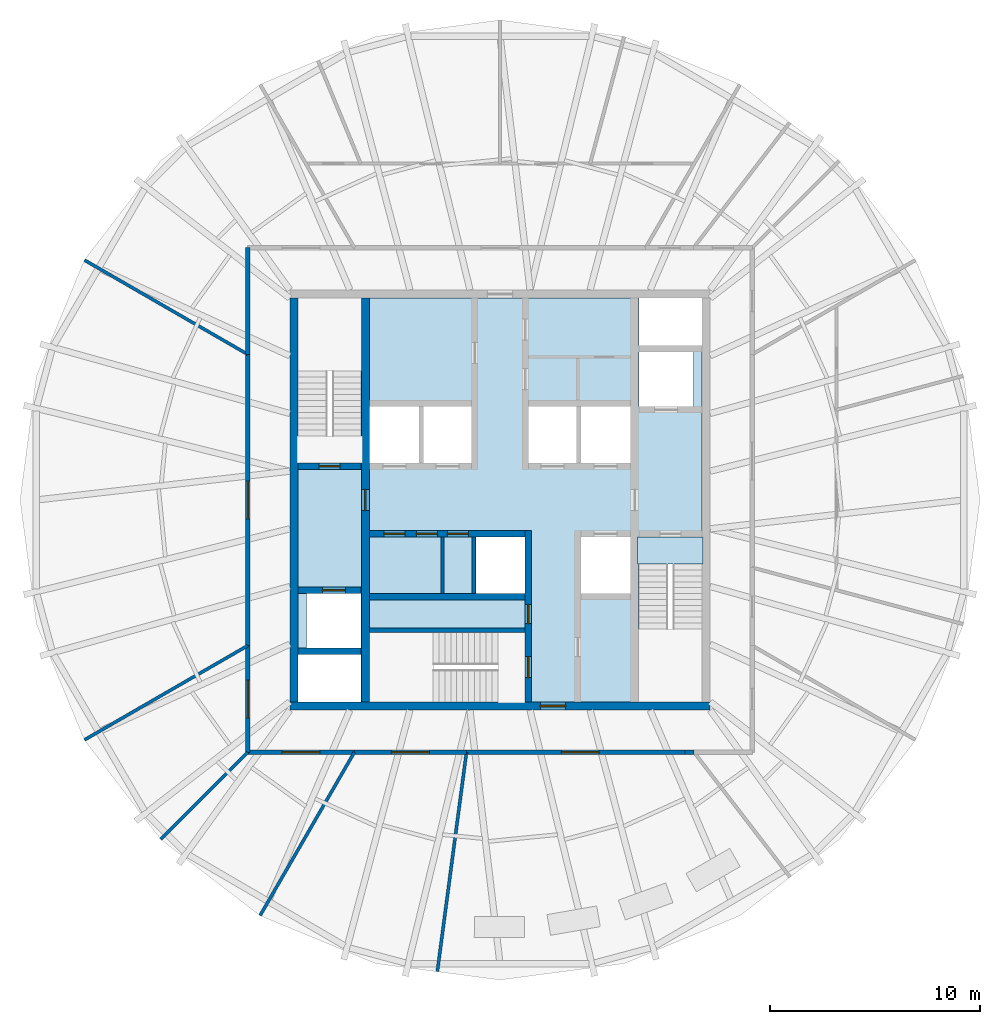
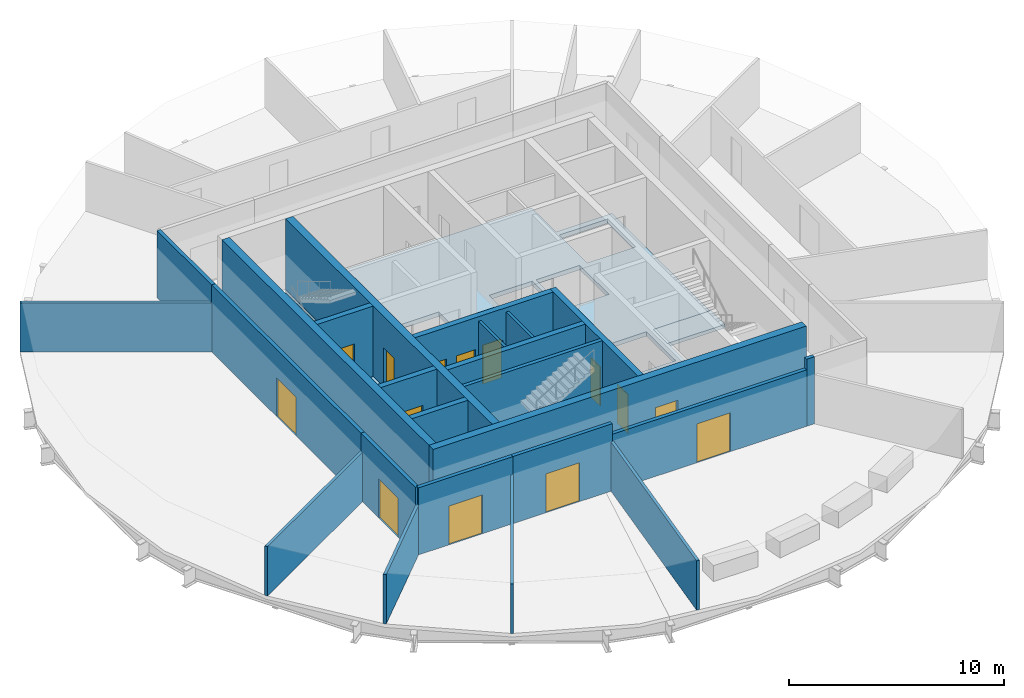
# One storey, part 3 of 7: 24 walls, 14 doors, 2 slabs, 14 openings.
"""IFC4 building model written with IfcOpenShell, lengths in metres."""

from ifc_helpers import new_model, si_unit, direction, frame, frame_2d, origin, place, context, subcontext, project, spatial, polyline, rectangle, outline, extrude, material, layer, layer_set, type_object, element, fill, save


model = new_model("IFC4")

# Units and contexts
model_context = context("Model", 3, precision=1e-05, world=origin(), true_north=direction((0.0, 1.0)))
body_context = subcontext(model_context, "Body", "Model", "MODEL_VIEW")
ifc_project = project(units=[si_unit("LENGTHUNIT", "METRE"), si_unit("AREAUNIT", "SQUARE_METRE"), si_unit("VOLUMEUNIT", "CUBIC_METRE"), si_unit("PLANEANGLEUNIT", "RADIAN"), si_unit("MASSUNIT", "GRAM", prefix="KILO")], contexts=[model_context])

# Site, building, storey
site_placement = place(None, origin())
site = spatial("IfcSite", under=ifc_project, at=site_placement, CompositionType="ELEMENT")
building_placement = place(site_placement, origin())
building = spatial("IfcBuilding", under=site, at=building_placement, Name="Golbaran Civic Tower", CompositionType="ELEMENT")
storey_placement = place(building_placement, frame((0.0, 0.0, 236.0)))
storey = spatial("IfcBuildingStorey", under=building, at=storey_placement, Name="L57", CompositionType="ELEMENT", Elevation=236.0)

# Slabs
ifc_material_1 = material(Name="Concrete C35/45", Category="concrete")
ifc_layer_1 = layer(ifc_material_1, 0.25, Name="Concrete C35/45")
ifc_layer_set_1 = layer_set([ifc_layer_1], Name="Concrete C35/45")
slab_type_1 = type_object("IfcSlabType", Name="CORE FLOOR SLAB 250", PredefinedType="FLOOR", material=ifc_layer_set_1)
slab_1_placement = place(storey_placement, frame((0.0, 0.0, -0.25)))
element("IfcSlab", 1, at=slab_1_placement, inside=storey, type_object=slab_type_1, Name="Core floor slab L57", PredefinedType="FLOOR", context=body_context, shape_type="SweptSolid", body=[
    extrude(outline(polyline([(6.60009765625, -1.75), (6.60009765625, -9.60009765625), (1.199951171875, -9.60009765625), (1.199951171875, -6.300048828125), (-6.199951171875, -6.300048828125), (-6.199951171875, -9.60009765625), (-6.60009765625, -9.60009765625), (-6.60009765625, -7.35009765625), (-9.60009765625, -7.35009765625), (-9.60009765625, 1.75), (-6.60009765625, 1.75), (-6.60009765625, 9.60009765625), (6.60009765625, 9.60009765625), (6.60009765625, 7.35009765625), (9.60009765625, 7.35009765625), (9.60009765625, -1.75), (6.60009765625, -1.75)]), holes=[polyline([(9.199951171875, 7.050048828125), (6.60009765625, 7.050048828125), (6.60009765625, 4.449951171875), (9.199951171875, 4.449951171875), (9.199951171875, 7.050048828125)]), polyline([(6.199951171875, -1.75), (3.85009765625, -1.75), (3.85009765625, -4.449951171875), (6.199951171875, -4.449951171875), (6.199951171875, -1.75)]), polyline([(6.199951171875, 4.449951171875), (3.85009765625, 4.449951171875), (3.85009765625, 1.75), (6.199951171875, 1.75), (6.199951171875, 4.449951171875)]), polyline([(3.64990234375, 4.449951171875), (1.35009765625, 4.449951171875), (1.35009765625, 1.75), (3.64990234375, 1.75), (3.64990234375, 4.449951171875)]), polyline([(-1.14990234375, -1.75), (-1.14990234375, -4.449951171875), (1.199951171875, -4.449951171875), (1.199951171875, -1.75), (-1.14990234375, -1.75)]), polyline([(-1.35009765625, 4.449951171875), (-3.64990234375, 4.449951171875), (-3.64990234375, 1.75), (-1.35009765625, 1.75), (-1.35009765625, 4.449951171875)]), polyline([(-3.85009765625, 4.449951171875), (-6.199951171875, 4.449951171875), (-6.199951171875, 1.75), (-3.85009765625, 1.75), (-3.85009765625, 4.449951171875)]), polyline([(-6.60009765625, -4.449951171875), (-9.199951171875, -4.449951171875), (-9.199951171875, -7.050048828125), (-6.60009765625, -7.050048828125), (-6.60009765625, -4.449951171875)])]), origin(), (0.0, 0.0, 1.0), 0.25),
])
ifc_layer_2 = layer(ifc_material_1, 0.199951171875, Name="Concrete C35/45")
ifc_layer_set_2 = layer_set([ifc_layer_2], Name="Concrete C35/45")
slab_type_2 = type_object("IfcSlabType", Name="STAIR LANDING 200", PredefinedType="LANDING", material=ifc_layer_set_2)
slab_2_placement = place(storey_placement, frame((0.0, 0.0, -0.199951171875)))
element("IfcSlab", 2, at=slab_2_placement, inside=storey, type_object=slab_type_2, Name="Stair S2 floor landing L57", PredefinedType="LANDING", context=body_context, shape_type="SweptSolid", body=[
    extrude(outline(polyline([(9.64990234375, -1.75), (9.64990234375, -3.054931640625), (6.550048828125, -3.054931640625), (6.550048828125, -1.75), (9.64990234375, -1.75)])), origin(), (0.0, 0.0, 1.0), 0.199951171875),
])

# Walls
ifc_material_2 = material(Name="Concrete block", Category="concrete")
ifc_layer_3 = layer(ifc_material_2, 0.14990234375, Name="Concrete block")
ifc_layer_set_3 = layer_set([ifc_layer_3], Name="Concrete block")
wall_type_1 = type_object("IfcWallType", Name="BLOCKWORK PARTITION 150", PredefinedType="PARTITIONING", material=ifc_layer_set_3)
for number, where, z_axis, x_axis, name in (
    (3, (-2.739990234375, -1.75, 0.0), (0.0, 0.0, 1.0), (0.0, -1.0, 0.0), "Core room partition HP0 L57"),
    (4, (-1.25, -1.75, 0.0), (0.0, 0.0, 1.0), (0.0, -1.0, 0.0), "Lift H3 hoistway west wall L57"),
):
    element("IfcWall", number, at=place(storey_placement, frame(where, z_axis=z_axis, x_axis=x_axis)), inside=storey, type_object=wall_type_1, Name=name, PredefinedType="PARTITIONING", context=body_context, shape_type="SweptSolid", body=[
        extrude(rectangle(XDim=2.699951171875, YDim=0.14990234375, at=frame_2d((1.35009765625, 0.0))), origin(), (0.0, 0.0, 1.0), 3.75),
    ])

# Wall, opening, door
ifc_material_3 = material(Name="Concrete C50/60", Category="concrete")
ifc_layer_4 = layer(ifc_material_3, 0.39990234375, Name="Concrete C50/60")
ifc_layer_set_4 = layer_set([ifc_layer_4], Name="Concrete C50/60")
wall_type_2 = type_object("IfcWallType", Name="CORE WALL CONCRETE 400", PredefinedType="SOLIDWALL", material=ifc_layer_set_4)
wall_1_placement = place(storey_placement, frame((10.0, -9.800048828125, 0.0), z_axis=(0.0, 0.0, 1.0), x_axis=(-1.0, 0.0, 0.0)))
wall_1 = element("IfcWall", 5, at=wall_1_placement, inside=storey, type_object=wall_type_2, Name="Core wall CS L57", PredefinedType="SOLIDWALL", context=body_context, shape_type="SweptSolid", body=[
    extrude(rectangle(XDim=20.0, YDim=0.39990234375, at=frame_2d((10.0, 0.0))), origin(), (0.0, 0.0, 1.0), 4.0),
])
opening_1_placement = place(wall_1_placement, frame((6.875, 0.0, 0.0)))
opening_1 = element("IfcOpeningElement", 6, at=opening_1_placement, cuts=wall_1, Name="Opening L57.CS", PredefinedType="OPENING", context=body_context, shape_type="SweptSolid", body=[
    extrude(rectangle(XDim=1.199951171875, YDim=2.199951171875, at=frame_2d((0.60009765625, 1.10009765625))), frame((0.0, 0.2099609375, 0.0), z_axis=(0.0, -1.0, 0.0), x_axis=(1.0, 0.0, 0.0)), (0.0, 0.0, 1.0), 0.419921875),
])
ifc_material_4 = material(Name="Timber door set in steel frame", Category="steel")
door_type_1 = type_object("IfcDoorType", Name="CORE DOOR 1200x2200", OperationType="DOUBLE_DOOR_SINGLE_SWING", PredefinedType="DOOR", material=ifc_material_4)
door_1_placement = place(opening_1_placement, origin())
door_1 = element("IfcDoor", 7, at=door_1_placement, inside=storey, type_object=door_type_1, Name="Core door south", OperationType="DOUBLE_DOOR_SINGLE_SWING", OverallHeight=2.199951171875, OverallWidth=1.199951171875, PredefinedType="DOOR", context=body_context, shape_type="SweptSolid", body=[
    extrude(rectangle(XDim=1.199951171875, YDim=2.199951171875, at=frame_2d((0.60009765625, 1.10009765625))), frame((0.0, 0.02490234375, 0.0), z_axis=(0.0, -1.0, 0.0), x_axis=(1.0, 0.0, 0.0)), (0.0, 0.0, 1.0), 0.050048828125),
])
fill(opening_1, door_1)

# Wall
wall_2_placement = place(storey_placement, frame((-9.800048828125, 9.60009765625, 0.0), z_axis=(0.0, 0.0, 1.0), x_axis=(0.0, -1.0, 0.0)))
element("IfcWall", 8, at=wall_2_placement, inside=storey, type_object=wall_type_2, Name="Core wall CW L57", PredefinedType="SOLIDWALL", context=body_context, shape_type="SweptSolid", body=[
    extrude(rectangle(XDim=19.2001953125, YDim=0.39990234375, at=frame_2d((9.60009765625, 0.0))), origin(), (0.0, 0.0, 1.0), 4.0),
])

# Wall, opening, door
wall_3_placement = place(storey_placement, frame((-6.39990234375, -9.60009765625, 0.0), z_axis=(0.0, 0.0, 1.0), x_axis=(0.0, 1.0, 0.0)))
wall_3 = element("IfcWall", 9, at=wall_3_placement, inside=storey, type_object=wall_type_2, Name="Core wall IW L57", PredefinedType="SOLIDWALL", context=body_context, shape_type="SweptSolid", body=[
    extrude(rectangle(XDim=19.2001953125, YDim=0.39990234375, at=frame_2d((9.60009765625, 0.0))), origin(), (0.0, 0.0, 1.0), 4.0),
])
opening_2_placement = place(wall_3_placement, frame((9.10009765625, 0.0, 0.0)))
opening_2 = element("IfcOpeningElement", 10, at=opening_2_placement, cuts=wall_3, Name="Opening L57.FL1", PredefinedType="OPENING", context=body_context, shape_type="SweptSolid", body=[
    extrude(rectangle(XDim=1.0, YDim=2.199951171875, at=frame_2d((0.5, 1.10009765625))), frame((0.0, 0.2099609375, 0.0), z_axis=(0.0, -1.0, 0.0), x_axis=(1.0, 0.0, 0.0)), (0.0, 0.0, 1.0), 0.419921875),
])
door_type_2 = type_object("IfcDoorType", Name="STAIR DOOR 1000x2200", OperationType="SINGLE_SWING_LEFT", PredefinedType="DOOR", material=ifc_material_4)
door_2_placement = place(opening_2_placement, origin())
door_2 = element("IfcDoor", 11, at=door_2_placement, inside=storey, type_object=door_type_2, Name="Fire-fighting lobby FL1 door", OperationType="SINGLE_SWING_LEFT", OverallHeight=2.199951171875, OverallWidth=1.0, PredefinedType="DOOR", context=body_context, shape_type="SweptSolid", body=[
    extrude(rectangle(XDim=1.0, YDim=2.199951171875, at=frame_2d((0.5, 1.10009765625))), frame((0.0, 0.02490234375, 0.0), z_axis=(0.0, -1.0, 0.0), x_axis=(1.0, 0.0, 0.0)), (0.0, 0.0, 1.0), 0.050048828125),
])
fill(opening_2, door_2)

# Wall
ifc_material_5 = material(Name="Gypsum board on steel studs, fire-rated", Category="steel")
ifc_layer_5 = layer(ifc_material_5, 0.199951171875, Name="Gypsum board on steel studs, fire-rated")
ifc_layer_set_5 = layer_set([ifc_layer_5], Name="Gypsum board on steel studs, fire-rated")
wall_type_3 = type_object("IfcWallType", Name="CORRIDOR WALL 200", PredefinedType="PARTITIONING", material=ifc_layer_set_5)
wall_4_placement = place(storey_placement, frame((-12.0, 12.0, 0.0), z_axis=(0.0, 0.0, 1.0), x_axis=(0.0, -1.0, 0.0)))
element("IfcWall", 12, at=wall_4_placement, inside=storey, type_object=wall_type_3, Name="Corridor wall L57", PredefinedType="PARTITIONING", context=body_context, shape_type="SweptSolid", body=[
    extrude(rectangle(XDim=5.07177734375, YDim=0.199951171875, at=frame_2d((2.535888671875, 0.0))), origin(), (0.0, 0.0, 1.0), 3.800048828125),
])

# Wall, opening, door
wall_5_placement = place(storey_placement, frame((-12.0, 6.92822265625, 0.0), z_axis=(0.0, 0.0, 1.0), x_axis=(0.0, -1.0, 0.0)))
wall_5 = element("IfcWall", 13, at=wall_5_placement, inside=storey, type_object=wall_type_3, Name="Corridor wall L57", PredefinedType="PARTITIONING", context=body_context, shape_type="SweptSolid", body=[
    extrude(rectangle(XDim=13.8564453125, YDim=0.199951171875, at=frame_2d((6.92822265625, 0.0))), origin(), (0.0, 0.0, 1.0), 3.800048828125),
])
opening_3_placement = place(wall_5_placement, frame((6.0283203125, 0.0, 0.0)))
opening_3 = element("IfcOpeningElement", 14, at=opening_3_placement, cuts=wall_5, Name="Opening L57.14", PredefinedType="OPENING", context=body_context, shape_type="SweptSolid", body=[
    extrude(rectangle(XDim=1.800048828125, YDim=2.199951171875, at=frame_2d((0.89990234375, 1.10009765625))), frame((0.0, 0.10986328125, 0.0), z_axis=(0.0, -1.0, 0.0), x_axis=(1.0, 0.0, 0.0)), (0.0, 0.0, 1.0), 0.219970703125),
])
door_type_3 = type_object("IfcDoorType", Name="OFFICE DOUBLE DOOR 1800x2200", OperationType="DOUBLE_DOOR_SINGLE_SWING", PredefinedType="DOOR", material=ifc_material_4)
door_3_placement = place(opening_3_placement, origin())
door_3 = element("IfcDoor", 15, at=door_3_placement, inside=storey, type_object=door_type_3, Name="Open Office door L57", OperationType="DOUBLE_DOOR_SINGLE_SWING", OverallHeight=2.199951171875, OverallWidth=1.800048828125, PredefinedType="DOOR", context=body_context, shape_type="SweptSolid", body=[
    extrude(rectangle(XDim=1.800048828125, YDim=2.199951171875, at=frame_2d((0.89990234375, 1.10009765625))), frame((0.0, 0.02490234375, 0.0), z_axis=(0.0, -1.0, 0.0), x_axis=(1.0, 0.0, 0.0)), (0.0, 0.0, 1.0), 0.050048828125),
])
fill(opening_3, door_3)

wall_6_placement = place(storey_placement, frame((-12.0, -6.92822265625, 0.0), z_axis=(0.0, 0.0, 1.0), x_axis=(0.0, -1.0, 0.0)))
wall_6 = element("IfcWall", 16, at=wall_6_placement, inside=storey, type_object=wall_type_3, Name="Corridor wall L57", PredefinedType="PARTITIONING", context=body_context, shape_type="SweptSolid", body=[
    extrude(rectangle(XDim=5.07177734375, YDim=0.199951171875, at=frame_2d((2.535888671875, 0.0))), origin(), (0.0, 0.0, 1.0), 3.800048828125),
])
opening_4_placement = place(wall_6_placement, frame((1.635986328125, 0.0, 0.0)))
opening_4 = element("IfcOpeningElement", 17, at=opening_4_placement, cuts=wall_6, Name="Opening L57.15", PredefinedType="OPENING", context=body_context, shape_type="SweptSolid", body=[
    extrude(rectangle(XDim=1.800048828125, YDim=2.199951171875, at=frame_2d((0.89990234375, 1.10009765625))), frame((0.0, 0.10986328125, 0.0), z_axis=(0.0, -1.0, 0.0), x_axis=(1.0, 0.0, 0.0)), (0.0, 0.0, 1.0), 0.219970703125),
])
door_4_placement = place(opening_4_placement, origin())
door_4 = element("IfcDoor", 18, at=door_4_placement, inside=storey, type_object=door_type_3, Name="Open Office door L57", OperationType="DOUBLE_DOOR_SINGLE_SWING", OverallHeight=2.199951171875, OverallWidth=1.800048828125, PredefinedType="DOOR", context=body_context, shape_type="SweptSolid", body=[
    extrude(rectangle(XDim=1.800048828125, YDim=2.199951171875, at=frame_2d((0.89990234375, 1.10009765625))), frame((0.0, 0.02490234375, 0.0), z_axis=(0.0, -1.0, 0.0), x_axis=(1.0, 0.0, 0.0)), (0.0, 0.0, 1.0), 0.050048828125),
])
fill(opening_4, door_4)

wall_7_placement = place(storey_placement, frame((-12.0, -12.0, 0.0), z_axis=(0.0, 0.0, 1.0), x_axis=(1.0, 0.0, 0.0)))
wall_7 = element("IfcWall", 19, at=wall_7_placement, inside=storey, type_object=wall_type_3, Name="Corridor wall L57", PredefinedType="PARTITIONING", context=body_context, shape_type="SweptSolid", body=[
    extrude(rectangle(XDim=5.07177734375, YDim=0.199951171875, at=frame_2d((2.535888671875, 0.0))), origin(), (0.0, 0.0, 1.0), 3.800048828125),
])
opening_5_placement = place(wall_7_placement, frame((1.635986328125, 0.0, 0.0)))
opening_5 = element("IfcOpeningElement", 20, at=opening_5_placement, cuts=wall_7, Name="Opening L57.16", PredefinedType="OPENING", context=body_context, shape_type="SweptSolid", body=[
    extrude(rectangle(XDim=1.800048828125, YDim=2.199951171875, at=frame_2d((0.89990234375, 1.10009765625))), frame((0.0, 0.10986328125, 0.0), z_axis=(0.0, -1.0, 0.0), x_axis=(1.0, 0.0, 0.0)), (0.0, 0.0, 1.0), 0.219970703125),
])
door_5_placement = place(opening_5_placement, origin())
door_5 = element("IfcDoor", 21, at=door_5_placement, inside=storey, type_object=door_type_3, Name="Open Office door L57", OperationType="DOUBLE_DOOR_SINGLE_SWING", OverallHeight=2.199951171875, OverallWidth=1.800048828125, PredefinedType="DOOR", context=body_context, shape_type="SweptSolid", body=[
    extrude(rectangle(XDim=1.800048828125, YDim=2.199951171875, at=frame_2d((0.89990234375, 1.10009765625))), frame((0.0, 0.02490234375, 0.0), z_axis=(0.0, -1.0, 0.0), x_axis=(1.0, 0.0, 0.0)), (0.0, 0.0, 1.0), 0.050048828125),
])
fill(opening_5, door_5)

wall_8_placement = place(storey_placement, frame((-6.92822265625, -12.0, 0.0), z_axis=(0.0, 0.0, 1.0), x_axis=(1.0, 0.0, 0.0)))
wall_8 = element("IfcWall", 22, at=wall_8_placement, inside=storey, type_object=wall_type_3, Name="Corridor wall L57", PredefinedType="PARTITIONING", context=body_context, shape_type="SweptSolid", body=[
    extrude(rectangle(XDim=5.333740234375, YDim=0.199951171875, at=frame_2d((2.6669921875, 0.0))), origin(), (0.0, 0.0, 1.0), 3.800048828125),
])
opening_6_placement = place(wall_8_placement, frame((1.766845703125, 0.0, 0.0)))
opening_6 = element("IfcOpeningElement", 23, at=opening_6_placement, cuts=wall_8, Name="Opening L57.17", PredefinedType="OPENING", context=body_context, shape_type="SweptSolid", body=[
    extrude(rectangle(XDim=1.800048828125, YDim=2.199951171875, at=frame_2d((0.89990234375, 1.10009765625))), frame((0.0, 0.10986328125, 0.0), z_axis=(0.0, -1.0, 0.0), x_axis=(1.0, 0.0, 0.0)), (0.0, 0.0, 1.0), 0.219970703125),
])
door_6_placement = place(opening_6_placement, origin())
door_6 = element("IfcDoor", 24, at=door_6_placement, inside=storey, type_object=door_type_3, Name="Staff Lounge door L57", OperationType="DOUBLE_DOOR_SINGLE_SWING", OverallHeight=2.199951171875, OverallWidth=1.800048828125, PredefinedType="DOOR", context=body_context, shape_type="SweptSolid", body=[
    extrude(rectangle(XDim=1.800048828125, YDim=2.199951171875, at=frame_2d((0.89990234375, 1.10009765625))), frame((0.0, 0.02490234375, 0.0), z_axis=(0.0, -1.0, 0.0), x_axis=(1.0, 0.0, 0.0)), (0.0, 0.0, 1.0), 0.050048828125),
])
fill(opening_6, door_6)

wall_9_placement = place(storey_placement, frame((-1.594482421875, -12.0, 0.0), z_axis=(0.0, 0.0, 1.0), x_axis=(1.0, 0.0, 0.0)))
wall_9 = element("IfcWall", 25, at=wall_9_placement, inside=storey, type_object=wall_type_3, Name="Corridor wall L57", PredefinedType="PARTITIONING", context=body_context, shape_type="SweptSolid", body=[
    extrude(rectangle(XDim=10.404052734375, YDim=0.199951171875, at=frame_2d((5.2021484375, 0.0))), origin(), (0.0, 0.0, 1.0), 3.199951171875),
])
opening_7_placement = place(wall_9_placement, frame((4.5126953125, 0.0, 0.0)))
opening_7 = element("IfcOpeningElement", 26, at=opening_7_placement, cuts=wall_9, Name="Opening L57.18", PredefinedType="OPENING", context=body_context, shape_type="SweptSolid", body=[
    extrude(rectangle(XDim=1.800048828125, YDim=2.199951171875, at=frame_2d((0.89990234375, 1.10009765625))), frame((0.0, 0.10986328125, 0.0), z_axis=(0.0, -1.0, 0.0), x_axis=(1.0, 0.0, 0.0)), (0.0, 0.0, 1.0), 0.219970703125),
])
door_7_placement = place(opening_7_placement, origin())
door_7 = element("IfcDoor", 27, at=door_7_placement, inside=storey, type_object=door_type_3, Name="Sky Garden door L57", OperationType="DOUBLE_DOOR_SINGLE_SWING", OverallHeight=2.199951171875, OverallWidth=1.800048828125, PredefinedType="DOOR", context=body_context, shape_type="SweptSolid", body=[
    extrude(rectangle(XDim=1.800048828125, YDim=2.199951171875, at=frame_2d((0.89990234375, 1.10009765625))), frame((0.0, 0.02490234375, 0.0), z_axis=(0.0, -1.0, 0.0), x_axis=(1.0, 0.0, 0.0)), (0.0, 0.0, 1.0), 0.050048828125),
])
fill(opening_7, door_7)

# Walls
wall_10_placement = place(storey_placement, frame((8.8095703125, -12.0, 0.0), z_axis=(0.0, 0.0, 1.0), x_axis=(1.0, 0.0, 0.0)))
element("IfcWall", 28, at=wall_10_placement, inside=storey, type_object=wall_type_3, Name="Corridor wall L57 (part 2)", PredefinedType="PARTITIONING", context=body_context, shape_type="SweptSolid", body=[
    extrude(rectangle(XDim=0.42138671875, YDim=0.199951171875, at=frame_2d((0.210693359375, 0.0))), origin(), (0.0, 0.0, 1.0), 3.800048828125),
])
ifc_material_6 = material(Name="Gypsum board on steel studs", Category="steel")
ifc_layer_6 = layer(ifc_material_6, 0.14990234375, Name="Gypsum board on steel studs")
ifc_layer_set_6 = layer_set([ifc_layer_6], Name="Gypsum board on steel studs")
wall_type_4 = type_object("IfcWallType", Name="OFFICE PARTITION 150", PredefinedType="PARTITIONING", material=ifc_layer_set_6)
for number, where, z_axis, x_axis, name in (
    (29, (-12.0, 6.92822265625, 0.0), (0.0, 0.0, 1.0), (-0.866025969295, 0.499999020506, 0.0), "Partition 150 L57"),
    (30, (-12.0, -6.92822265625, 0.0), (0.0, 0.0, 1.0), (-0.866025969295, -0.499999020506, 0.0), "Partition 210 L57"),
):
    element("IfcWall", number, at=place(storey_placement, frame(where, z_axis=z_axis, x_axis=x_axis)), inside=storey, type_object=wall_type_4, Name=name, PredefinedType="PARTITIONING", context=body_context, shape_type="SweptSolid", body=[
        extrude(rectangle(XDim=8.9658203125, YDim=0.14990234375, at=frame_2d((4.48291015625, 0.0))), origin(), (0.0, 0.0, 1.0), 2.7900390625),
    ])
wall_11_placement = place(storey_placement, frame((-12.0, -12.0, 0.0), z_axis=(0.0, 0.0, 1.0), x_axis=(-0.707106781187, -0.707106781187, 0.0)))
element("IfcWall", 31, at=wall_11_placement, inside=storey, type_object=wall_type_4, Name="Partition 225 L57", PredefinedType="PARTITIONING", context=body_context, shape_type="SweptSolid", body=[
    extrude(rectangle(XDim=5.8515625, YDim=0.14990234375, at=frame_2d((2.92578125, 0.0))), origin(), (0.0, 0.0, 1.0), 2.7900390625),
])
wall_12_placement = place(storey_placement, frame((-6.92822265625, -12.0, 0.0), z_axis=(0.0, 0.0, 1.0), x_axis=(-0.499999020506, -0.866025969295, 0.0)))
element("IfcWall", 32, at=wall_12_placement, inside=storey, type_object=wall_type_4, Name="Partition 240 L57", PredefinedType="PARTITIONING", context=body_context, shape_type="SweptSolid", body=[
    extrude(rectangle(XDim=8.9658203125, YDim=0.14990234375, at=frame_2d((4.48291015625, 0.0))), origin(), (0.0, 0.0, 1.0), 2.7900390625),
])
wall_13_placement = place(storey_placement, frame((-1.594482421875, -12.0, 0.0), z_axis=(0.0, 0.0, 1.0), x_axis=(-0.131727497691, -0.991285965982, 0.0)))
element("IfcWall", 33, at=wall_13_placement, inside=storey, type_object=wall_type_4, Name="Partition 262.431 L57", PredefinedType="PARTITIONING", context=body_context, shape_type="SweptSolid", body=[
    extrude(rectangle(XDim=10.521728515625, YDim=0.14990234375, at=frame_2d((5.2607421875, 0.0))), origin(), (0.0, 0.0, 1.0), 2.7900390625),
])
ifc_layer_7 = layer(ifc_material_3, 0.199951171875, Name="Concrete C50/60")
ifc_layer_set_7 = layer_set([ifc_layer_7], Name="Concrete C50/60")
wall_type_5 = type_object("IfcWallType", Name="SHAFT WALL CONCRETE 200", PredefinedType="SOLIDWALL", material=ifc_layer_set_7)
wall_14_placement = place(storey_placement, frame((-6.199951171875, -6.199951171875, 0.0), z_axis=(0.0, 0.0, 1.0), x_axis=(1.0, 0.0, 0.0)))
element("IfcWall", 34, at=wall_14_placement, inside=storey, type_object=wall_type_5, Name="Core wall S3N L57", PredefinedType="SOLIDWALL", context=body_context, shape_type="SweptSolid", body=[
    extrude(rectangle(XDim=7.39990234375, YDim=0.199951171875, at=frame_2d((3.699951171875, 0.0))), origin(), (0.0, 0.0, 1.0), 4.0),
])

# Wall, openings, doors
ifc_layer_8 = layer(ifc_material_3, 0.300048828125, Name="Concrete C50/60")
ifc_layer_set_8 = layer_set([ifc_layer_8], Name="Concrete C50/60")
wall_type_6 = type_object("IfcWallType", Name="SHAFT WALL CONCRETE 300", PredefinedType="SOLIDWALL", material=ifc_layer_set_8)
wall_15_placement = place(storey_placement, frame((-6.199951171875, -1.60009765625, 0.0), z_axis=(0.0, 0.0, 1.0), x_axis=(1.0, 0.0, 0.0)))
wall_15 = element("IfcWall", 35, at=wall_15_placement, inside=storey, type_object=wall_type_6, Name="Core wall FSW L57", PredefinedType="SOLIDWALL", context=body_context, shape_type="SweptSolid", body=[
    extrude(rectangle(XDim=7.39990234375, YDim=0.300048828125, at=frame_2d((3.699951171875, 0.0))), origin(), (0.0, 0.0, 1.0), 4.0),
])
opening_8_placement = place(wall_15_placement, frame((0.675048828125, 0.0, 0.0)))
opening_8 = element("IfcOpeningElement", 36, at=opening_8_placement, cuts=wall_15, Name="Opening L57.H1R", PredefinedType="OPENING", context=body_context, shape_type="SweptSolid", body=[
    extrude(rectangle(XDim=1.0, YDim=2.199951171875, at=frame_2d((0.5, 1.10009765625))), frame((0.0, 0.159912109375, 0.0), z_axis=(0.0, -1.0, 0.0), x_axis=(1.0, 0.0, 0.0)), (0.0, 0.0, 1.0), 0.320068359375),
])
opening_9_placement = place(wall_15_placement, frame((2.22509765625, 0.0, 0.0)))
opening_9 = element("IfcOpeningElement", 37, at=opening_9_placement, cuts=wall_15, Name="Opening L57.H2R", PredefinedType="OPENING", context=body_context, shape_type="SweptSolid", body=[
    extrude(rectangle(XDim=1.0, YDim=2.199951171875, at=frame_2d((0.5, 1.10009765625))), frame((0.0, 0.159912109375, 0.0), z_axis=(0.0, -1.0, 0.0), x_axis=(1.0, 0.0, 0.0)), (0.0, 0.0, 1.0), 0.320068359375),
])
opening_10_placement = place(wall_15_placement, frame((3.695068359375, 0.0, 0.0)))
opening_10 = element("IfcOpeningElement", 38, at=opening_10_placement, cuts=wall_15, Name="Opening L57.H3R", PredefinedType="OPENING", context=body_context, shape_type="SweptSolid", body=[
    extrude(rectangle(XDim=1.0, YDim=2.199951171875, at=frame_2d((0.5, 1.10009765625))), frame((0.0, 0.159912109375, 0.0), z_axis=(0.0, -1.0, 0.0), x_axis=(1.0, 0.0, 0.0)), (0.0, 0.0, 1.0), 0.320068359375),
])
door_type_4 = type_object("IfcDoorType", Name="CORE ROOM DOOR 1000x2200", OperationType="SINGLE_SWING_LEFT", PredefinedType="DOOR", material=ifc_material_4)
door_8_placement = place(opening_8_placement, origin())
door_8 = element("IfcDoor", 39, at=door_8_placement, inside=storey, type_object=door_type_4, Name="Staff Pantry door", OperationType="SINGLE_SWING_LEFT", OverallHeight=2.199951171875, OverallWidth=1.0, PredefinedType="DOOR", context=body_context, shape_type="SweptSolid", body=[
    extrude(rectangle(XDim=1.0, YDim=2.199951171875, at=frame_2d((0.5, 1.10009765625))), frame((0.0, 0.02490234375, 0.0), z_axis=(0.0, -1.0, 0.0), x_axis=(1.0, 0.0, 0.0)), (0.0, 0.0, 1.0), 0.050048828125),
])
fill(opening_8, door_8)
door_9_placement = place(opening_9_placement, origin())
door_9 = element("IfcDoor", 40, at=door_9_placement, inside=storey, type_object=door_type_4, Name="Staff Pantry door", OperationType="SINGLE_SWING_LEFT", OverallHeight=2.199951171875, OverallWidth=1.0, PredefinedType="DOOR", context=body_context, shape_type="SweptSolid", body=[
    extrude(rectangle(XDim=1.0, YDim=2.199951171875, at=frame_2d((0.5, 1.10009765625))), frame((0.0, 0.02490234375, 0.0), z_axis=(0.0, -1.0, 0.0), x_axis=(1.0, 0.0, 0.0)), (0.0, 0.0, 1.0), 0.050048828125),
])
fill(opening_9, door_9)
door_10_placement = place(opening_10_placement, origin())
door_10 = element("IfcDoor", 41, at=door_10_placement, inside=storey, type_object=door_type_4, Name="Cleaner's Store door", OperationType="SINGLE_SWING_RIGHT", OverallHeight=2.199951171875, OverallWidth=1.0, PredefinedType="DOOR", context=body_context, shape_type="SweptSolid", body=[
    extrude(rectangle(XDim=1.0, YDim=2.199951171875, at=frame_2d((0.5, 1.10009765625))), frame((0.0, 0.02490234375, 0.0), z_axis=(0.0, -1.0, 0.0), x_axis=(1.0, 0.0, 0.0)), (0.0, 0.0, 1.0), 0.050048828125),
])
fill(opening_10, door_10)

# Wall
wall_16_placement = place(storey_placement, frame((-6.199951171875, -4.60009765625, 0.0), z_axis=(0.0, 0.0, 1.0), x_axis=(1.0, 0.0, 0.0)))
element("IfcWall", 42, at=wall_16_placement, inside=storey, type_object=wall_type_6, Name="Core wall BSW L57", PredefinedType="SOLIDWALL", context=body_context, shape_type="SweptSolid", body=[
    extrude(rectangle(XDim=7.39990234375, YDim=0.300048828125, at=frame_2d((3.699951171875, 0.0))), origin(), (0.0, 0.0, 1.0), 4.0),
])

# Wall, openings, doors
wall_17_placement = place(storey_placement, frame((1.35009765625, -1.449951171875, 0.0), z_axis=(0.0, 0.0, 1.0), x_axis=(0.0, -1.0, 0.0)))
wall_17 = element("IfcWall", 43, at=wall_17_placement, inside=storey, type_object=wall_type_6, Name="Core wall PSW L57", PredefinedType="SOLIDWALL", context=body_context, shape_type="SweptSolid", body=[
    extrude(rectangle(XDim=8.150146484375, YDim=0.300048828125, at=frame_2d((4.0751953125, 0.0))), origin(), (0.0, 0.0, 1.0), 4.0),
])
opening_11_placement = place(wall_17_placement, frame((6.0, 0.0, 0.0)))
opening_11 = element("IfcOpeningElement", 44, at=opening_11_placement, cuts=wall_17, Name="Opening L57.S3", PredefinedType="OPENING", context=body_context, shape_type="SweptSolid", body=[
    extrude(rectangle(XDim=1.0, YDim=2.199951171875, at=frame_2d((0.5, 1.10009765625))), frame((0.0, 0.159912109375, 0.0), z_axis=(0.0, -1.0, 0.0), x_axis=(1.0, 0.0, 0.0)), (0.0, 0.0, 1.0), 0.320068359375),
])
opening_12_placement = place(wall_17_placement, frame((3.52490234375, 0.0, 0.0)))
opening_12 = element("IfcOpeningElement", 45, at=opening_12_placement, cuts=wall_17, Name="Opening L57.RE", PredefinedType="OPENING", context=body_context, shape_type="SweptSolid", body=[
    extrude(rectangle(XDim=0.89990234375, YDim=2.199951171875, at=frame_2d((0.449951171875, 1.10009765625))), frame((0.0, 0.159912109375, 0.0), z_axis=(0.0, -1.0, 0.0), x_axis=(1.0, 0.0, 0.0)), (0.0, 0.0, 1.0), 0.320068359375),
])
door_type_5 = type_object("IfcDoorType", Name="RISER DOOR 900x2200", OperationType="SINGLE_SWING_LEFT", PredefinedType="DOOR", material=ifc_material_4)
door_11_placement = place(opening_12_placement, origin())
door_11 = element("IfcDoor", 46, at=door_11_placement, inside=storey, type_object=door_type_5, Name="Electrical riser door", OperationType="SINGLE_SWING_LEFT", OverallHeight=2.199951171875, OverallWidth=0.89990234375, PredefinedType="DOOR", context=body_context, shape_type="SweptSolid", body=[
    extrude(rectangle(XDim=0.89990234375, YDim=2.199951171875, at=frame_2d((0.449951171875, 1.10009765625))), frame((0.0, 0.02490234375, 0.0), z_axis=(0.0, -1.0, 0.0), x_axis=(1.0, 0.0, 0.0)), (0.0, 0.0, 1.0), 0.050048828125),
])
fill(opening_12, door_11)
door_12_placement = place(opening_11_placement, origin())
door_12 = element("IfcDoor", 47, at=door_12_placement, inside=storey, type_object=door_type_2, Name="Stair S3 door", OperationType="SINGLE_SWING_RIGHT", OverallHeight=2.199951171875, OverallWidth=1.0, PredefinedType="DOOR", context=body_context, shape_type="SweptSolid", body=[
    extrude(rectangle(XDim=1.0, YDim=2.199951171875, at=frame_2d((0.5, 1.10009765625))), frame((0.0, 0.02490234375, 0.0), z_axis=(0.0, -1.0, 0.0), x_axis=(1.0, 0.0, 0.0)), (0.0, 0.0, 1.0), 0.050048828125),
])
fill(opening_11, door_12)

# Wall, opening, door
wall_18_placement = place(storey_placement, frame((-9.60009765625, 1.60009765625, 0.0), z_axis=(0.0, 0.0, 1.0), x_axis=(1.0, 0.0, 0.0)))
wall_18 = element("IfcWall", 48, at=wall_18_placement, inside=storey, type_object=wall_type_6, Name="Core wall XW1 L57", PredefinedType="SOLIDWALL", context=body_context, shape_type="SweptSolid", body=[
    extrude(rectangle(XDim=3.0, YDim=0.300048828125, at=frame_2d((1.5, 0.0))), origin(), (0.0, 0.0, 1.0), 4.0),
])
opening_13_placement = place(wall_18_placement, frame((1.0, 0.0, 0.0)))
opening_13 = element("IfcOpeningElement", 49, at=opening_13_placement, cuts=wall_18, Name="Opening L57.S1", PredefinedType="OPENING", context=body_context, shape_type="SweptSolid", body=[
    extrude(rectangle(XDim=1.0, YDim=2.199951171875, at=frame_2d((0.5, 1.10009765625))), frame((0.0, 0.159912109375, 0.0), z_axis=(0.0, -1.0, 0.0), x_axis=(1.0, 0.0, 0.0)), (0.0, 0.0, 1.0), 0.320068359375),
])
door_13_placement = place(opening_13_placement, origin())
door_13 = element("IfcDoor", 50, at=door_13_placement, inside=storey, type_object=door_type_2, Name="Stair S1 door", OperationType="SINGLE_SWING_LEFT", OverallHeight=2.199951171875, OverallWidth=1.0, PredefinedType="DOOR", context=body_context, shape_type="SweptSolid", body=[
    extrude(rectangle(XDim=1.0, YDim=2.199951171875, at=frame_2d((0.5, 1.10009765625))), frame((0.0, 0.02490234375, 0.0), z_axis=(0.0, -1.0, 0.0), x_axis=(1.0, 0.0, 0.0)), (0.0, 0.0, 1.0), 0.050048828125),
])
fill(opening_13, door_13)

wall_19_placement = place(storey_placement, frame((-9.60009765625, -4.300048828125, 0.0), z_axis=(0.0, 0.0, 1.0), x_axis=(1.0, 0.0, 0.0)))
wall_19 = element("IfcWall", 51, at=wall_19_placement, inside=storey, type_object=wall_type_6, Name="Core wall XW2 L57", PredefinedType="SOLIDWALL", context=body_context, shape_type="SweptSolid", body=[
    extrude(rectangle(XDim=3.0, YDim=0.300048828125, at=frame_2d((1.5, 0.0))), origin(), (0.0, 0.0, 1.0), 4.0),
])
opening_14_placement = place(wall_19_placement, frame((1.14990234375, 0.0, 0.0)))
opening_14 = element("IfcOpeningElement", 52, at=opening_14_placement, cuts=wall_19, Name="Opening L57.LD-F1", PredefinedType="OPENING", context=body_context, shape_type="SweptSolid", body=[
    extrude(rectangle(XDim=1.10009765625, YDim=2.199951171875, at=frame_2d((0.550048828125, 1.10009765625))), frame((0.0, 0.159912109375, 0.0), z_axis=(0.0, -1.0, 0.0), x_axis=(1.0, 0.0, 0.0)), (0.0, 0.0, 1.0), 0.320068359375),
])
ifc_material_7 = material(Name="Stainless steel", Category="steel")
door_type_6 = type_object("IfcDoorType", Name="LIFT LANDING DOOR 1100x2200", OperationType="SLIDING_TO_LEFT", PredefinedType="DOOR", material=ifc_material_7)
door_14_placement = place(opening_14_placement, origin())
door_14 = element("IfcDoor", 53, at=door_14_placement, inside=storey, type_object=door_type_6, Name="Lift landing door F1", OperationType="SLIDING_TO_LEFT", OverallHeight=2.199951171875, OverallWidth=1.10009765625, PredefinedType="DOOR", context=body_context, shape_type="SweptSolid", body=[
    extrude(rectangle(XDim=1.10009765625, YDim=2.199951171875, at=frame_2d((0.550048828125, 1.10009765625))), frame((0.0, 0.02490234375, 0.0), z_axis=(0.0, -1.0, 0.0), x_axis=(1.0, 0.0, 0.0)), (0.0, 0.0, 1.0), 0.050048828125),
])
fill(opening_14, door_14)

# Wall
wall_20_placement = place(storey_placement, frame((-9.60009765625, -7.199951171875, 0.0), z_axis=(0.0, 0.0, 1.0), x_axis=(1.0, 0.0, 0.0)))
element("IfcWall", 54, at=wall_20_placement, inside=storey, type_object=wall_type_6, Name="Core wall XW3 L57", PredefinedType="SOLIDWALL", context=body_context, shape_type="SweptSolid", body=[
    extrude(rectangle(XDim=3.0, YDim=0.300048828125, at=frame_2d((1.5, 0.0))), origin(), (0.0, 0.0, 1.0), 4.0),
])

save(model, "model.ifc")
